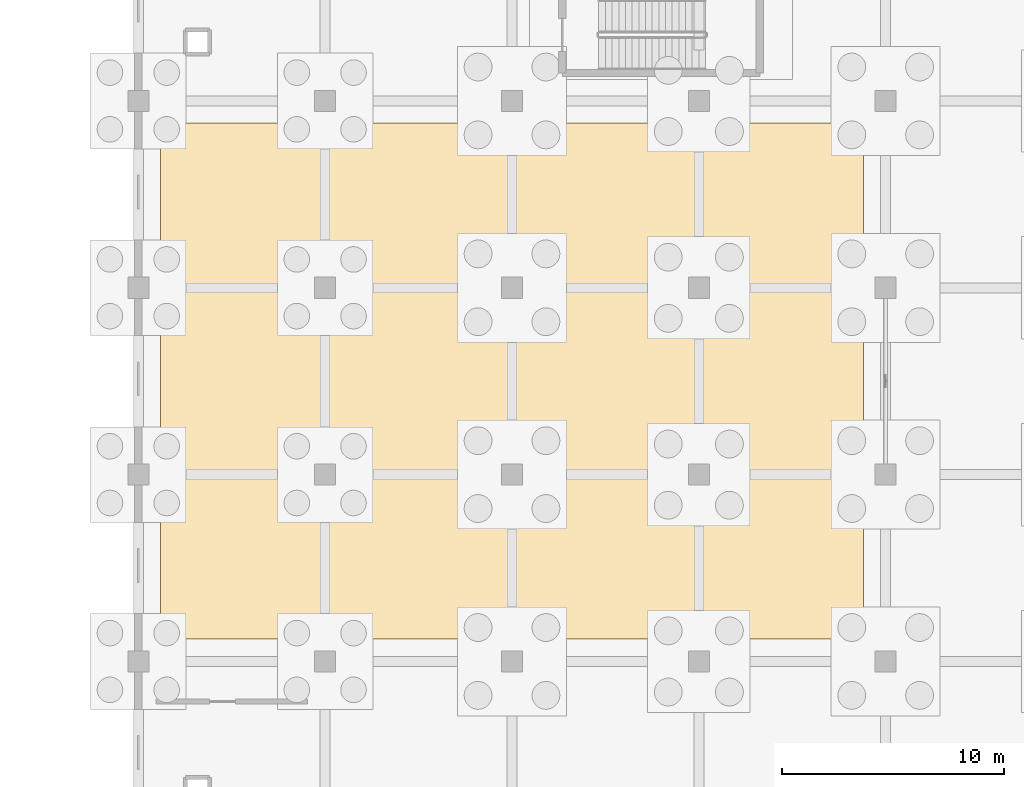
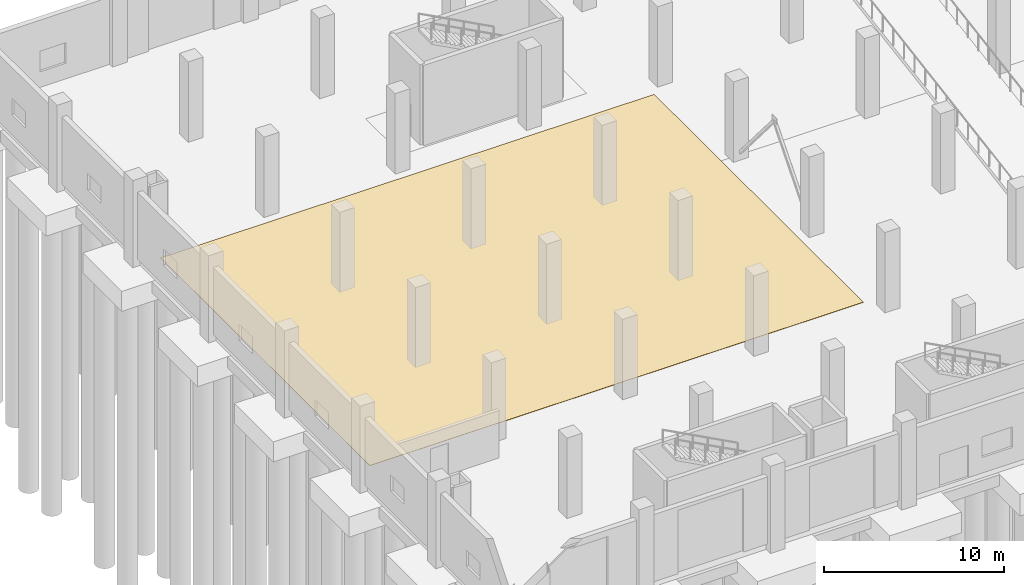
# One storey, part 71 of 83: 1 covering.
"""IFC4 building model written with IfcOpenShell, lengths in metres."""

from ifc_helpers import new_model, si_unit, direction, origin, place, context, subcontext, project, spatial, polyline, outline, extrude, material, layer, layer_set, type_object, element, save


model = new_model("IFC4")

# Units and contexts
model_context = context("Model", 3, precision=1e-05, world=origin(), true_north=direction((0.0, 1.0)))
body_context = subcontext(model_context, "Body", "Model", "MODEL_VIEW")
ifc_project = project(units=[si_unit("LENGTHUNIT", "METRE"), si_unit("AREAUNIT", "SQUARE_METRE"), si_unit("VOLUMEUNIT", "CUBIC_METRE"), si_unit("PLANEANGLEUNIT", "RADIAN"), si_unit("MASSUNIT", "GRAM", prefix="KILO"), si_unit("THERMODYNAMICTEMPERATUREUNIT", "KELVIN"), si_unit("POWERUNIT", "WATT")], contexts=[model_context])

# Site, building, storey
site_placement = place(None, origin())
site = spatial("IfcSite", under=ifc_project, at=site_placement, CompositionType="ELEMENT")
building_placement = place(site_placement, origin())
building = spatial("IfcBuilding", under=site, at=building_placement, Name="Mavoryth Pier Ferry Terminal", CompositionType="ELEMENT")
storey_placement = place(building_placement, origin())
storey = spatial("IfcBuildingStorey", under=building, at=storey_placement, Name="L00", CompositionType="ELEMENT", Elevation=0.0)

# Covering
ifc_material = material(Name="Heavy-Duty Quartz Anti-Slip Deck Coating")
ifc_layer = layer(ifc_material, 0.02001953125, Name="Heavy-Duty Quartz Anti-Slip Deck Coating")
ifc_layer_set = layer_set([ifc_layer], Name="Heavy-Duty Quartz Anti-Slip Deck Coating - Floor-DeckEpoxy-20")
covering_type = type_object("IfcCoveringType", Name="Floor-DeckEpoxy-20", PredefinedType="FLOORING", material=ifc_layer_set)
covering_placement = place(storey_placement, origin())
element("IfcCovering", 1, at=covering_placement, inside=storey, type_object=covering_type, Name="Covering COV-L00-003", PredefinedType="FLOORING", context=body_context, shape_type="SweptSolid", body=[
    extrude(outline(polyline([(110.199951171875, 31.39990234375), (141.800048828125, 31.39990234375), (141.800048828125, 54.60009765625), (110.199951171875, 54.60009765625), (110.199951171875, 31.39990234375)])), origin(), (0.0, 0.0, 1.0), 0.02001953125),
])

save(model, "model.ifc")
